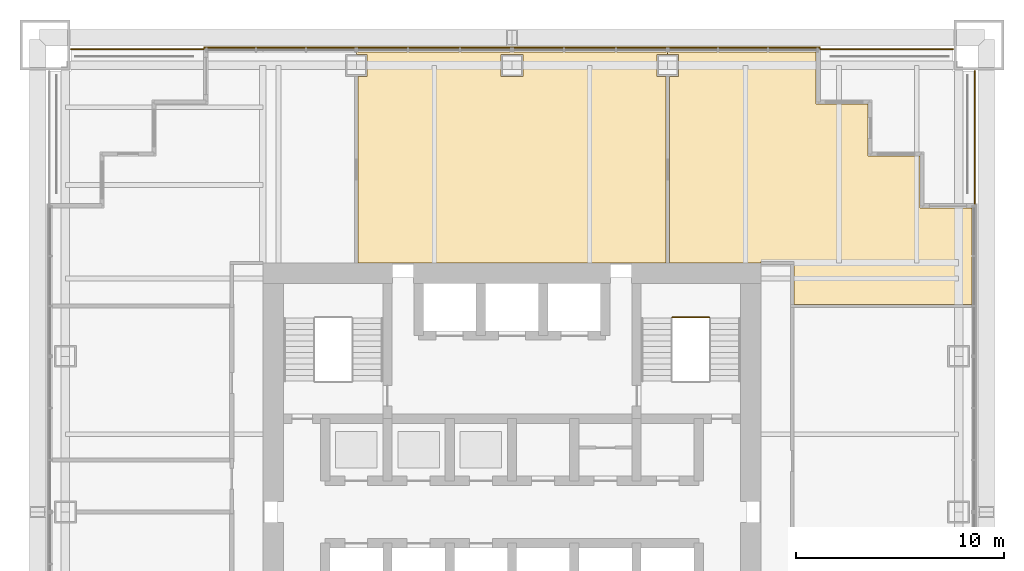
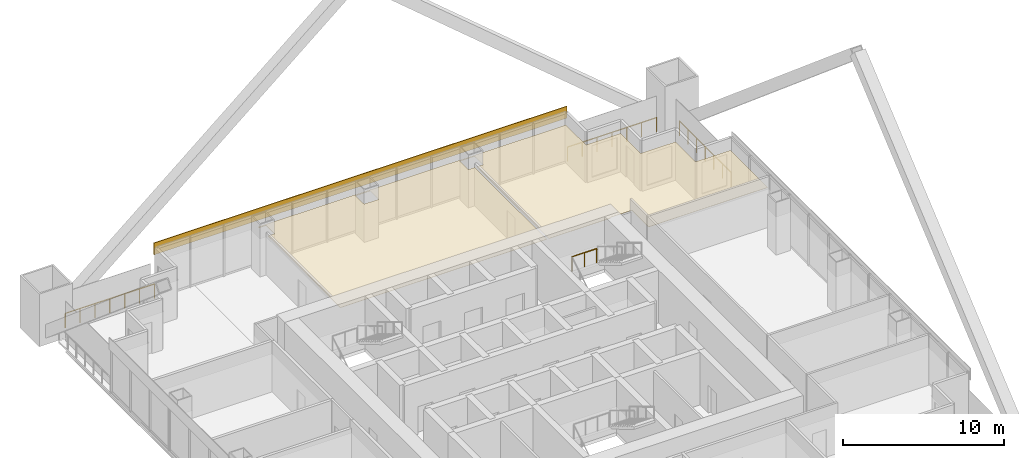
# One storey, part 13 of 14: 4 railings, 3 coverings.
"""IFC4 building model written with IfcOpenShell, lengths in metres."""

from ifc_helpers import new_model, si_unit, direction, frame, origin, origin_2d, place, context, subcontext, project, spatial, polyline, rectangle, circle, outline, extrude, material, layer, layer_set, type_object, element, save


model = new_model("IFC4")

# Units and contexts
model_context = context("Model", 3, precision=1e-05, world=origin(), true_north=direction((0.0, 1.0)))
body_context = subcontext(model_context, "Body", "Model", "MODEL_VIEW")
ifc_project = project(units=[si_unit("LENGTHUNIT", "METRE"), si_unit("AREAUNIT", "SQUARE_METRE"), si_unit("VOLUMEUNIT", "CUBIC_METRE"), si_unit("PLANEANGLEUNIT", "RADIAN"), si_unit("MASSUNIT", "GRAM", prefix="KILO")], contexts=[model_context])

# Site, building, storey
site_placement = place(None, origin())
site = spatial("IfcSite", under=ifc_project, at=site_placement, CompositionType="ELEMENT")
building_placement = place(site_placement, origin())
building = spatial("IfcBuilding", under=site, at=building_placement, Name="Tarangal Relay Tower", CompositionType="ELEMENT")
storey_placement = place(building_placement, frame((0.0, 0.0, 177.89990234375)))
storey = spatial("IfcBuildingStorey", under=building, at=storey_placement, Name="L36", CompositionType="ELEMENT", Elevation=177.89990234375)

# Covering
ifc_material_1 = material(Name="Black anodised aluminium cladding", Category="aluminium")
ifc_layer_1 = layer(ifc_material_1, 0.050048828125)
ifc_layer_set_1 = layer_set([ifc_layer_1], Name="Black metal spandrel band")
covering_type_1 = type_object("IfcCoveringType", Name="Black metal spandrel band", PredefinedType="CLADDING", material=ifc_layer_set_1)
covering_1_placement = place(storey_placement, frame((0.0, 22.375, 3.250244140625), z_axis=(0.0, 0.0, 1.0), x_axis=(1.0, 0.0, 0.0)))
element("IfcCovering", 1, at=covering_1_placement, inside=storey, type_object=covering_type_1, Name="Spandrel band SB1 N L36", PredefinedType="CLADDING", context=body_context, shape_type="SweptSolid", body=[
    extrude(rectangle(XDim=29.699951171875, YDim=0.050048828125, at=origin_2d()), origin(), (0.0, 0.0, 1.0), 0.89990234375),
])

# Railing
ifc_material_2 = material(Name="Steel guard, black finish", Category="steel")
railing_type_1 = type_object("IfcRailingType", Name="Stair guard 1100", PredefinedType="GUARDRAIL", material=ifc_material_2)
railing_1_placement = place(storey_placement, frame((7.72509765625, 9.376953125, 2.0)))
element("IfcRailing", 2, at=railing_1_placement, inside=storey, type_object=railing_type_1, Name="Stair ST-B landing guard GR1 L36", PredefinedType="GUARDRAIL", context=body_context, shape_type="SweptSolid", body=[
    extrude(circle(Radius=0.02392578125, at=origin_2d()), frame((0.0, 0.0, 1.076171875), z_axis=(1.0, 0.0, 0.0), x_axis=(0.0, 1.0, 0.0)), (0.0, 0.0, 1.0), 1.77490234375),
    extrude(circle(Radius=0.02099609375, at=origin_2d()), origin(), (0.0, 0.0, 1.0), 1.052001953125),
    extrude(circle(Radius=0.02099609375, at=origin_2d()), frame((0.887451171875, 0.0, 0.0)), (0.0, 0.0, 1.0), 1.052001953125),
    extrude(circle(Radius=0.02099609375, at=origin_2d()), frame((1.77490234375, 0.0, 0.0)), (0.0, 0.0, 1.0), 1.052001953125),
])

# Coverings
ifc_material_3 = material(Name="Mineral fibre ceiling tiles", Category="gypsum")
ifc_layer_2 = layer(ifc_material_3, 0.02001953125)
ifc_layer_set_2 = layer_set([ifc_layer_2], Name="Suspended ceiling")
covering_type_2 = type_object("IfcCoveringType", Name="Suspended ceiling", PredefinedType="CEILING", material=ifc_layer_set_2)
covering_2_placement = place(storey_placement, frame((0.0, 0.0, 2.900146484375)))
element("IfcCovering", 3, at=covering_2_placement, inside=storey, type_object=covering_type_2, Name="Suspended ceiling CL1 L36-02", PredefinedType="CEILING", context=body_context, shape_type="SweptSolid", body=[
    extrude(outline(polyline([(7.425048828125, 20.989990234375), (6.97509765625, 20.989990234375), (6.97509765625, 22.0400390625), (7.5, 22.0400390625), (7.5, 22.14990234375), (-7.5, 22.14990234375), (-7.5, 22.0400390625), (-6.97509765625, 22.0400390625), (-6.97509765625, 20.989990234375), (-7.425048828125, 20.989990234375), (-7.425048828125, 12.0), (7.425048828125, 12.0), (7.425048828125, 20.989990234375)]), holes=[polyline([(-0.52490234375, 20.989990234375), (0.52490234375, 20.989990234375), (0.52490234375, 22.0400390625), (-0.52490234375, 22.0400390625), (-0.52490234375, 20.989990234375)])]), origin(), (0.0, 0.0, 1.0), 0.02001953125),
])
covering_3_placement = place(storey_placement, frame((0.0, 0.0, 2.900146484375)))
element("IfcCovering", 4, at=covering_3_placement, inside=storey, type_object=covering_type_2, Name="Suspended ceiling CL1 L36-13", PredefinedType="CEILING", context=body_context, shape_type="SweptSolid", body=[
    extrude(outline(polyline([(7.5, 22.14990234375), (7.5, 22.0400390625), (8.02490234375, 22.0400390625), (8.02490234375, 20.989990234375), (7.574951171875, 20.989990234375), (7.574951171875, 12.0), (12.0, 12.0), (12.0, 12.074951171875), (13.574951171875, 12.074951171875), (13.574951171875, 9.991943359375), (22.14990234375, 9.991943359375), (22.14990234375, 14.64990234375), (19.64990234375, 14.64990234375), (19.64990234375, 17.14990234375), (17.14990234375, 17.14990234375), (17.14990234375, 19.64990234375), (14.64990234375, 19.64990234375), (14.64990234375, 22.14990234375), (7.5, 22.14990234375)])), origin(), (0.0, 0.0, 1.0), 0.02001953125),
])

# Railings
ifc_material_4 = material(Name="Black steel guard with glass infill", Category="steel")
railing_type_2 = type_object("IfcRailingType", Name="Terrace guard 1100", PredefinedType="GUARDRAIL", material=ifc_material_4)
railing_2_placement = place(storey_placement, frame((14.85009765625, 22.300048828125, 0.0)))
element("IfcRailing", 5, at=railing_2_placement, inside=storey, type_object=railing_type_2, Name="Terrace guard GR2 NE L36", PredefinedType="GUARDRAIL", context=body_context, shape_type="SweptSolid", body=[
    extrude(circle(Radius=0.02392578125, at=origin_2d()), frame((0.0, 0.0, 1.076171875), z_axis=(1.0, 0.0, 0.0), x_axis=(0.0, 1.0, 0.0)), (0.0, 0.0, 1.0), 6.39990234375),
    extrude(circle(Radius=0.02099609375, at=origin_2d()), origin(), (0.0, 0.0, 1.0), 1.052001953125),
    extrude(circle(Radius=0.02099609375, at=origin_2d()), frame((1.066650390625, 0.0, 0.0)), (0.0, 0.0, 1.0), 1.052001953125),
    extrude(circle(Radius=0.02099609375, at=origin_2d()), frame((2.13330078125, 0.0, 0.0)), (0.0, 0.0, 1.0), 1.052001953125),
    extrude(circle(Radius=0.02099609375, at=origin_2d()), frame((3.199951171875, 0.0, 0.0)), (0.0, 0.0, 1.0), 1.052001953125),
    extrude(circle(Radius=0.02099609375, at=origin_2d()), frame((4.2666015625, 0.0, 0.0)), (0.0, 0.0, 1.0), 1.052001953125),
    extrude(circle(Radius=0.02099609375, at=origin_2d()), frame((5.333251953125, 0.0, 0.0)), (0.0, 0.0, 1.0), 1.052001953125),
    extrude(circle(Radius=0.02099609375, at=origin_2d()), frame((6.39990234375, 0.0, 0.0)), (0.0, 0.0, 1.0), 1.052001953125),
])
railing_3_placement = place(storey_placement, frame((22.300048828125, 21.25, 0.0)))
element("IfcRailing", 6, at=railing_3_placement, inside=storey, type_object=railing_type_2, Name="Terrace guard GR2 NE L36", PredefinedType="GUARDRAIL", context=body_context, shape_type="SweptSolid", body=[
    extrude(circle(Radius=0.02392578125, at=origin_2d()), frame((0.0, 0.0, 1.076171875), z_axis=(0.0, -1.0, 0.0), x_axis=(1.0, 0.0, 0.0)), (0.0, 0.0, 1.0), 6.39990234375),
    extrude(circle(Radius=0.02099609375, at=origin_2d()), origin(), (0.0, 0.0, 1.0), 1.052001953125),
    extrude(circle(Radius=0.02099609375, at=origin_2d()), frame((0.0, -1.066650390625, 0.0)), (0.0, 0.0, 1.0), 1.052001953125),
    extrude(circle(Radius=0.02099609375, at=origin_2d()), frame((0.0, -2.13330078125, 0.0)), (0.0, 0.0, 1.0), 1.052001953125),
    extrude(circle(Radius=0.02099609375, at=origin_2d()), frame((0.0, -3.199951171875, 0.0)), (0.0, 0.0, 1.0), 1.052001953125),
    extrude(circle(Radius=0.02099609375, at=origin_2d()), frame((0.0, -4.2666015625, 0.0)), (0.0, 0.0, 1.0), 1.052001953125),
    extrude(circle(Radius=0.02099609375, at=origin_2d()), frame((0.0, -5.333251953125, 0.0)), (0.0, 0.0, 1.0), 1.052001953125),
    extrude(circle(Radius=0.02099609375, at=origin_2d()), frame((0.0, -6.39990234375, 0.0)), (0.0, 0.0, 1.0), 1.052001953125),
])
railing_4_placement = place(storey_placement, frame((-21.25, 22.300048828125, 0.0)))
element("IfcRailing", 7, at=railing_4_placement, inside=storey, type_object=railing_type_2, Name="Terrace guard GR2 NW L36", PredefinedType="GUARDRAIL", context=body_context, shape_type="SweptSolid", body=[
    extrude(circle(Radius=0.02392578125, at=origin_2d()), frame((0.0, 0.0, 1.076171875), z_axis=(1.0, 0.0, 0.0), x_axis=(0.0, 1.0, 0.0)), (0.0, 0.0, 1.0), 6.39990234375),
    extrude(circle(Radius=0.02099609375, at=origin_2d()), origin(), (0.0, 0.0, 1.0), 1.052001953125),
    extrude(circle(Radius=0.02099609375, at=origin_2d()), frame((1.066650390625, 0.0, 0.0)), (0.0, 0.0, 1.0), 1.052001953125),
    extrude(circle(Radius=0.02099609375, at=origin_2d()), frame((2.13330078125, 0.0, 0.0)), (0.0, 0.0, 1.0), 1.052001953125),
    extrude(circle(Radius=0.02099609375, at=origin_2d()), frame((3.199951171875, 0.0, 0.0)), (0.0, 0.0, 1.0), 1.052001953125),
    extrude(circle(Radius=0.02099609375, at=origin_2d()), frame((4.2666015625, 0.0, 0.0)), (0.0, 0.0, 1.0), 1.052001953125),
    extrude(circle(Radius=0.02099609375, at=origin_2d()), frame((5.333251953125, 0.0, 0.0)), (0.0, 0.0, 1.0), 1.052001953125),
    extrude(circle(Radius=0.02099609375, at=origin_2d()), frame((6.39990234375, 0.0, 0.0)), (0.0, 0.0, 1.0), 1.052001953125),
])

save(model, "model.ifc")
